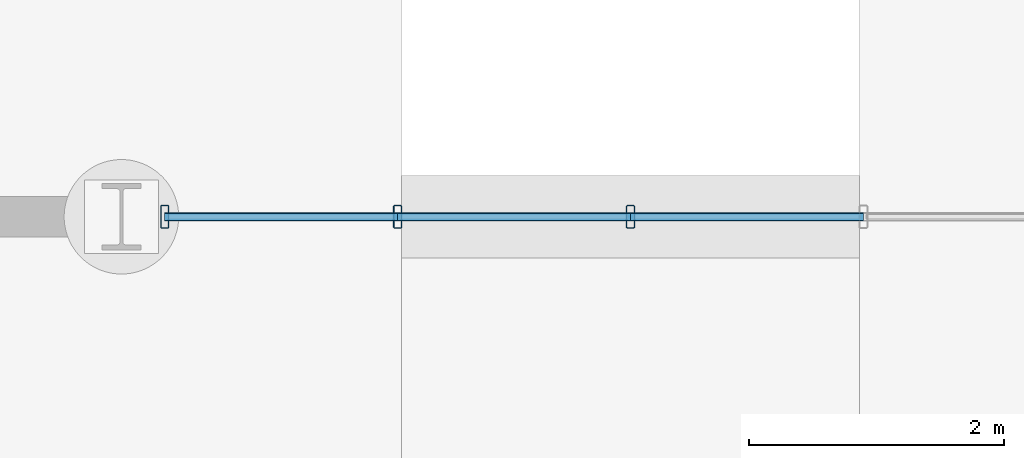
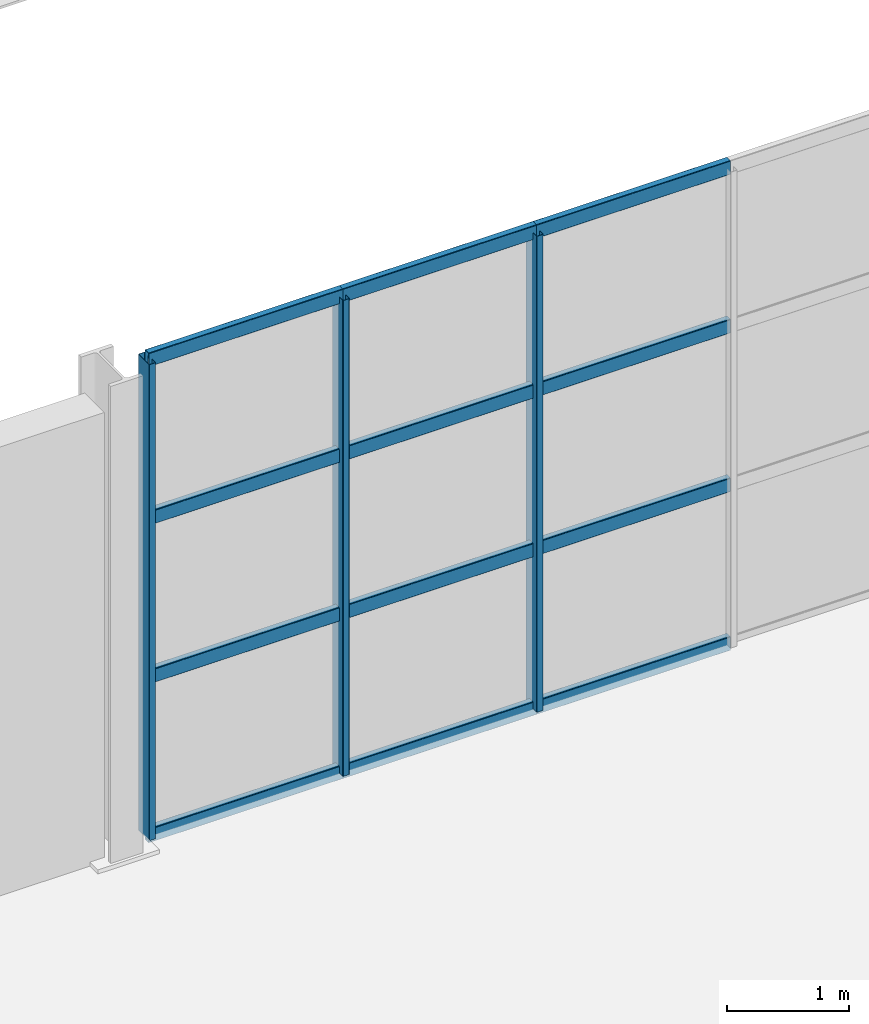
# One storey, part 40 of 101: 15 members, 1 element without a shape of its own.
"""IFC4 building model written with IfcOpenShell, lengths in metres."""

from ifc_helpers import new_model, si_unit, derived_unit, direction, frame, origin, origin_2d, place, context, subcontext, project, spatial, hollow_rectangle, extrude, material, material_profile, profile_set, type_object, element, aggregate, save


model = new_model("IFC4")

# Units and contexts
model_context = context("Model", 3, precision=1e-05, world=origin(), true_north=direction((0.0, 1.0)))
body_context = subcontext(model_context, "Body", "Model", "MODEL_VIEW")
ifc_project = project(units=[si_unit("LENGTHUNIT", "METRE"), si_unit("AREAUNIT", "SQUARE_METRE"), si_unit("VOLUMEUNIT", "CUBIC_METRE"), si_unit("PLANEANGLEUNIT", "RADIAN"), si_unit("MASSUNIT", "GRAM", prefix="KILO"), derived_unit("THERMALTRANSMITTANCEUNIT", [(si_unit("POWERUNIT", "WATT"), 1), (si_unit("LENGTHUNIT", "METRE"), -2), (si_unit("THERMODYNAMICTEMPERATUREUNIT", "KELVIN"), -1)])], contexts=[model_context])

# Site, building, storey
site_placement = place(None, origin())
site = spatial("IfcSite", under=ifc_project, at=site_placement, CompositionType="ELEMENT")
building_placement = place(site_placement, origin())
building = spatial("IfcBuilding", under=site, at=building_placement, Name="Keldorne Ridge Multi-Sports Centre", CompositionType="ELEMENT")
storey_placement = place(building_placement, origin())
storey = spatial("IfcBuildingStorey", under=building, at=storey_placement, Name="L00", CompositionType="ELEMENT", Elevation=0.0)

# Curtain wall, members
ifc_material = material(Name="Anodized aluminium", Category="aluminium")
curtain_wall_type = type_object("IfcCurtainWallType", Name="CW-CW-05", PredefinedType="NOTDEFINED", material=ifc_material)
curtain_wall_placement = place(storey_placement, origin())
curtain_wall = element("IfcCurtainWall", 1, at=curtain_wall_placement, inside=storey, type_object=curtain_wall_type, Name="Lower Courts north glazing 109", PredefinedType="NOTDEFINED")
ifc_material_profile_1 = material_profile(ifc_material, hollow_rectangle(XDim=0.06494140625, YDim=0.179931640625, WallThickness=0.00439453125, InnerFilletRadius=0.00439453125, OuterFilletRadius=0.009033203125, at=origin_2d()), Name="ALU MULLION 180x65x4.5")
ifc_profile_set_1 = profile_set([ifc_material_profile_1], Name="Anodized aluminium")
member_type_1 = type_object("IfcMemberType", Name="MEM-ML-01", PredefinedType="MULLION", material=ifc_profile_set_1)
member_1_placement = place(storey_placement, frame((132.0, 54.0, 0.0), z_axis=(0.0, 0.0, 1.0), x_axis=(1.0, 0.0, 0.0)))
member_1 = element("IfcMember", 2, at=member_1_placement, type_object=member_type_1, Name="CW-109 vertical mullion 3", PredefinedType="MULLION", context=body_context, shape_type="SweptSolid", body=[
    extrude(hollow_rectangle(XDim=0.06494140625, YDim=0.179931640625, WallThickness=0.00439453125, InnerFilletRadius=0.00439453125, OuterFilletRadius=0.009033203125, at=origin_2d()), origin(), (0.0, 0.0, 1.0), 4.75),
])
member_2_placement = place(storey_placement, frame((130.169921875, 54.0, 0.0), z_axis=(0.0, 0.0, 1.0), x_axis=(1.0, 0.0, 0.0)))
member_2 = element("IfcMember", 3, at=member_2_placement, type_object=member_type_1, Name="CW-109 vertical mullion 4", PredefinedType="MULLION", context=body_context, shape_type="SweptSolid", body=[
    extrude(hollow_rectangle(XDim=0.06494140625, YDim=0.179931640625, WallThickness=0.00439453125, InnerFilletRadius=0.00439453125, OuterFilletRadius=0.009033203125, at=origin_2d()), origin(), (0.0, 0.0, 1.0), 4.75),
])
member_3_placement = place(storey_placement, frame((128.340087890625, 54.0, 0.0), z_axis=(0.0, 0.0, 1.0), x_axis=(1.0, 0.0, 0.0)))
member_3 = element("IfcMember", 4, at=member_3_placement, type_object=member_type_1, Name="CW-109 vertical mullion 5", PredefinedType="MULLION", context=body_context, shape_type="SweptSolid", body=[
    extrude(hollow_rectangle(XDim=0.06494140625, YDim=0.179931640625, WallThickness=0.00439453125, InnerFilletRadius=0.00439453125, OuterFilletRadius=0.009033203125, at=origin_2d()), origin(), (0.0, 0.0, 1.0), 4.75),
])
ifc_material_profile_2 = material_profile(ifc_material, hollow_rectangle(XDim=0.06494140625, YDim=0.139892578125, WallThickness=0.00439453125, InnerFilletRadius=0.00439453125, OuterFilletRadius=0.009033203125, at=origin_2d()), Name="ALU TRANSOM 140x65x4.5")
ifc_profile_set_2 = profile_set([ifc_material_profile_2], Name="Anodized aluminium")
member_type_2 = type_object("IfcMemberType", Name="MEM-TR-01", PredefinedType="USERDEFINED", material=ifc_profile_set_2)
member_4_placement = place(storey_placement, frame((133.830078125, 54.0, 0.0), z_axis=(-1.0, 0.0, 0.0), x_axis=(0.0, -1.0, 0.0)))
member_4 = element("IfcMember", 5, at=member_4_placement, type_object=member_type_2, Name="CW-109 transom 2.1", ObjectType="TRANSOM", PredefinedType="USERDEFINED", context=body_context, shape_type="SweptSolid", body=[
    extrude(hollow_rectangle(XDim=0.06494140625, YDim=0.139892578125, WallThickness=0.00439453125, InnerFilletRadius=0.00439453125, OuterFilletRadius=0.009033203125, at=origin_2d()), origin(), (0.0, 0.0, 1.0), 1.830078125),
])
member_5_placement = place(storey_placement, frame((133.830078125, 54.0, 1.583251953125), z_axis=(-1.0, 0.0, 0.0), x_axis=(0.0, -1.0, 0.0)))
member_5 = element("IfcMember", 6, at=member_5_placement, type_object=member_type_2, Name="CW-109 transom 2.2", ObjectType="TRANSOM", PredefinedType="USERDEFINED", context=body_context, shape_type="SweptSolid", body=[
    extrude(hollow_rectangle(XDim=0.06494140625, YDim=0.139892578125, WallThickness=0.00439453125, InnerFilletRadius=0.00439453125, OuterFilletRadius=0.009033203125, at=origin_2d()), origin(), (0.0, 0.0, 1.0), 1.830078125),
])
member_6_placement = place(storey_placement, frame((133.830078125, 54.0, 3.166748046875), z_axis=(-1.0, 0.0, 0.0), x_axis=(0.0, -1.0, 0.0)))
member_6 = element("IfcMember", 7, at=member_6_placement, type_object=member_type_2, Name="CW-109 transom 2.3", ObjectType="TRANSOM", PredefinedType="USERDEFINED", context=body_context, shape_type="SweptSolid", body=[
    extrude(hollow_rectangle(XDim=0.06494140625, YDim=0.139892578125, WallThickness=0.00439453125, InnerFilletRadius=0.00439453125, OuterFilletRadius=0.009033203125, at=origin_2d()), origin(), (0.0, 0.0, 1.0), 1.830078125),
])
member_7_placement = place(storey_placement, frame((133.830078125, 54.0, 4.75), z_axis=(-1.0, 0.0, 0.0), x_axis=(0.0, -1.0, 0.0)))
member_7 = element("IfcMember", 8, at=member_7_placement, type_object=member_type_2, Name="CW-109 transom 2.4", ObjectType="TRANSOM", PredefinedType="USERDEFINED", context=body_context, shape_type="SweptSolid", body=[
    extrude(hollow_rectangle(XDim=0.06494140625, YDim=0.139892578125, WallThickness=0.00439453125, InnerFilletRadius=0.00439453125, OuterFilletRadius=0.009033203125, at=origin_2d()), origin(), (0.0, 0.0, 1.0), 1.830078125),
])
member_8_placement = place(storey_placement, frame((132.0, 54.0, 0.0), z_axis=(-1.0, 0.0, 0.0), x_axis=(0.0, -1.0, 0.0)))
member_8 = element("IfcMember", 9, at=member_8_placement, type_object=member_type_2, Name="CW-109 transom 3.1", ObjectType="TRANSOM", PredefinedType="USERDEFINED", context=body_context, shape_type="SweptSolid", body=[
    extrude(hollow_rectangle(XDim=0.06494140625, YDim=0.139892578125, WallThickness=0.00439453125, InnerFilletRadius=0.00439453125, OuterFilletRadius=0.009033203125, at=origin_2d()), origin(), (0.0, 0.0, 1.0), 1.830078125),
])
member_9_placement = place(storey_placement, frame((132.0, 54.0, 1.583251953125), z_axis=(-1.0, 0.0, 0.0), x_axis=(0.0, -1.0, 0.0)))
member_9 = element("IfcMember", 10, at=member_9_placement, type_object=member_type_2, Name="CW-109 transom 3.2", ObjectType="TRANSOM", PredefinedType="USERDEFINED", context=body_context, shape_type="SweptSolid", body=[
    extrude(hollow_rectangle(XDim=0.06494140625, YDim=0.139892578125, WallThickness=0.00439453125, InnerFilletRadius=0.00439453125, OuterFilletRadius=0.009033203125, at=origin_2d()), origin(), (0.0, 0.0, 1.0), 1.830078125),
])
member_10_placement = place(storey_placement, frame((132.0, 54.0, 3.166748046875), z_axis=(-1.0, 0.0, 0.0), x_axis=(0.0, -1.0, 0.0)))
member_10 = element("IfcMember", 11, at=member_10_placement, type_object=member_type_2, Name="CW-109 transom 3.3", ObjectType="TRANSOM", PredefinedType="USERDEFINED", context=body_context, shape_type="SweptSolid", body=[
    extrude(hollow_rectangle(XDim=0.06494140625, YDim=0.139892578125, WallThickness=0.00439453125, InnerFilletRadius=0.00439453125, OuterFilletRadius=0.009033203125, at=origin_2d()), origin(), (0.0, 0.0, 1.0), 1.830078125),
])
member_11_placement = place(storey_placement, frame((132.0, 54.0, 4.75), z_axis=(-1.0, 0.0, 0.0), x_axis=(0.0, -1.0, 0.0)))
member_11 = element("IfcMember", 12, at=member_11_placement, type_object=member_type_2, Name="CW-109 transom 3.4", ObjectType="TRANSOM", PredefinedType="USERDEFINED", context=body_context, shape_type="SweptSolid", body=[
    extrude(hollow_rectangle(XDim=0.06494140625, YDim=0.139892578125, WallThickness=0.00439453125, InnerFilletRadius=0.00439453125, OuterFilletRadius=0.009033203125, at=origin_2d()), origin(), (0.0, 0.0, 1.0), 1.830078125),
])
member_12_placement = place(storey_placement, frame((130.169921875, 54.0, 0.0), z_axis=(-1.0, 0.0, 0.0), x_axis=(0.0, -1.0, 0.0)))
member_12 = element("IfcMember", 13, at=member_12_placement, type_object=member_type_2, Name="CW-109 transom 4.1", ObjectType="TRANSOM", PredefinedType="USERDEFINED", context=body_context, shape_type="SweptSolid", body=[
    extrude(hollow_rectangle(XDim=0.06494140625, YDim=0.139892578125, WallThickness=0.00439453125, InnerFilletRadius=0.00439453125, OuterFilletRadius=0.009033203125, at=origin_2d()), origin(), (0.0, 0.0, 1.0), 1.829833984375),
])
member_13_placement = place(storey_placement, frame((130.169921875, 54.0, 1.583251953125), z_axis=(-1.0, 0.0, 0.0), x_axis=(0.0, -1.0, 0.0)))
member_13 = element("IfcMember", 14, at=member_13_placement, type_object=member_type_2, Name="CW-109 transom 4.2", ObjectType="TRANSOM", PredefinedType="USERDEFINED", context=body_context, shape_type="SweptSolid", body=[
    extrude(hollow_rectangle(XDim=0.06494140625, YDim=0.139892578125, WallThickness=0.00439453125, InnerFilletRadius=0.00439453125, OuterFilletRadius=0.009033203125, at=origin_2d()), origin(), (0.0, 0.0, 1.0), 1.829833984375),
])
member_14_placement = place(storey_placement, frame((130.169921875, 54.0, 3.166748046875), z_axis=(-1.0, 0.0, 0.0), x_axis=(0.0, -1.0, 0.0)))
member_14 = element("IfcMember", 15, at=member_14_placement, type_object=member_type_2, Name="CW-109 transom 4.3", ObjectType="TRANSOM", PredefinedType="USERDEFINED", context=body_context, shape_type="SweptSolid", body=[
    extrude(hollow_rectangle(XDim=0.06494140625, YDim=0.139892578125, WallThickness=0.00439453125, InnerFilletRadius=0.00439453125, OuterFilletRadius=0.009033203125, at=origin_2d()), origin(), (0.0, 0.0, 1.0), 1.829833984375),
])
member_15_placement = place(storey_placement, frame((130.169921875, 54.0, 4.75), z_axis=(-1.0, 0.0, 0.0), x_axis=(0.0, -1.0, 0.0)))
member_15 = element("IfcMember", 16, at=member_15_placement, type_object=member_type_2, Name="CW-109 transom 4.4", ObjectType="TRANSOM", PredefinedType="USERDEFINED", context=body_context, shape_type="SweptSolid", body=[
    extrude(hollow_rectangle(XDim=0.06494140625, YDim=0.139892578125, WallThickness=0.00439453125, InnerFilletRadius=0.00439453125, OuterFilletRadius=0.009033203125, at=origin_2d()), origin(), (0.0, 0.0, 1.0), 1.829833984375),
])
aggregate(curtain_wall, [member_1, member_2, member_3, member_4, member_5, member_6, member_7, member_8, member_9, member_10, member_11, member_12, member_13, member_14, member_15])

save(model, "model.ifc")
